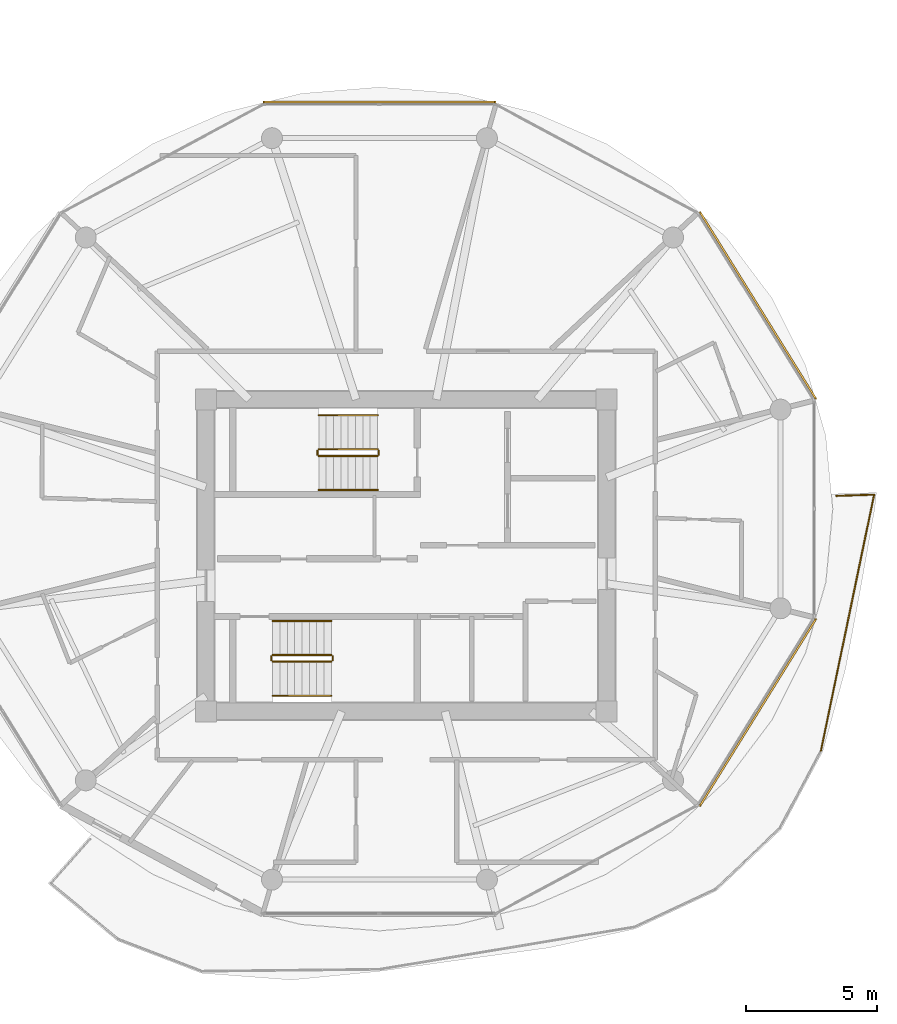
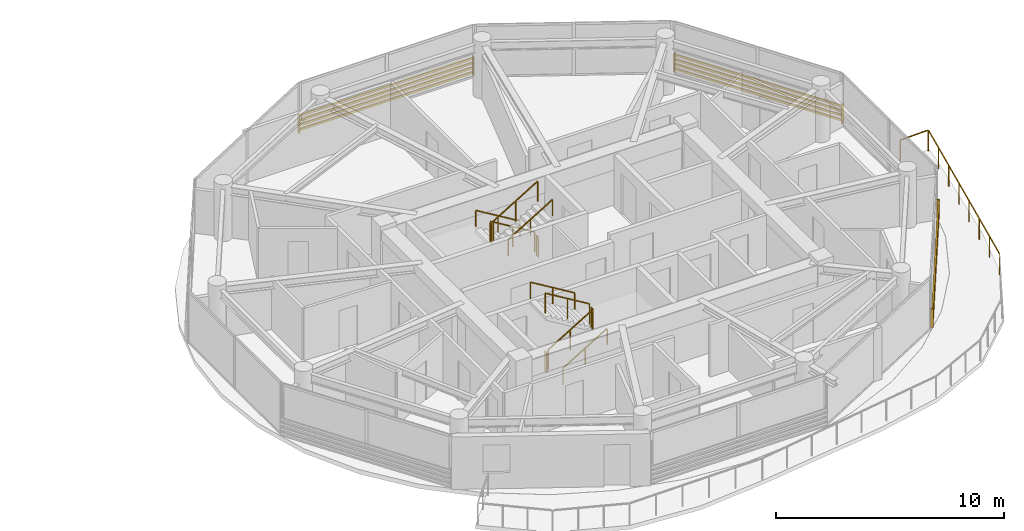
# One storey, part 24 of 24: 13 railings, 3 shading devices.
"""IFC4 building model written with IfcOpenShell, lengths in metres."""

from ifc_helpers import new_model, si_unit, direction, frame, origin, origin_2d, place, context, subcontext, project, spatial, rectangle, extrude, source, transform, mapped, material, type_object, type_shapes, element, save


model = new_model("IFC4")

# Units and contexts
model_context = context("Model", 3, precision=1e-05, world=origin(), true_north=direction((0.0, 1.0)))
body_context = subcontext(model_context, "Body", "Model", "MODEL_VIEW")
ifc_project = project(units=[si_unit("LENGTHUNIT", "METRE"), si_unit("AREAUNIT", "SQUARE_METRE"), si_unit("VOLUMEUNIT", "CUBIC_METRE"), si_unit("PLANEANGLEUNIT", "RADIAN"), si_unit("MASSUNIT", "GRAM", prefix="KILO")], contexts=[model_context])

# Site, building, storey
site_placement = place(None, origin())
site = spatial("IfcSite", under=ifc_project, at=site_placement, CompositionType="ELEMENT")
building_placement = place(site_placement, origin())
building = spatial("IfcBuilding", under=site, at=building_placement, Name="Norrkilde Senior Care Towers", CompositionType="ELEMENT")
storey_placement = place(building_placement, frame((0.0, 0.0, 155.64990234375)))
storey = spatial("IfcBuildingStorey", under=building, at=storey_placement, Name="L48", CompositionType="ELEMENT", Elevation=155.64990234375)

# Railings
ifc_material_1 = material(Name="Anodised Aluminium", Category="aluminium")
railing_type_1 = type_object("IfcRailingType", Name="Balcony Swirl Ribbon Guardrail 1150", PredefinedType="GUARDRAIL", material=ifc_material_1)
railing_1_placement = place(storey_placement, frame((44.408935546875, 2.272705078125, 0.0)))
element("IfcRailing", 1, at=railing_1_placement, inside=storey, type_object=railing_type_1, Name="L48 Perimeter Safety Guard 02", PredefinedType="GUARDRAIL", context=body_context, shape_type="SweptSolid", body=[
    extrude(rectangle(XDim=0.048095703125, YDim=0.048095703125, at=origin_2d()), frame((0.0, 0.0, 1.1259765625), z_axis=(0.999448270086, 0.033213783604, 0.0), x_axis=(-0.033213783604, 0.999448270086, 0.0)), (0.0, 0.0, 1.0), 1.4072265625),
    extrude(rectangle(XDim=0.048095703125, YDim=0.048095703125, at=origin_2d()), frame((1.43896484375, 0.008056640625, 1.1259765625), z_axis=(-0.203515592183, -0.979071705106, 0.0), x_axis=(0.979071705106, -0.203515592183, 0.0)), (0.0, 0.0, 1.0), 9.938720703125),
    extrude(rectangle(XDim=0.0419921875, YDim=0.0419921875, at=origin_2d()), origin(), (0.0, 0.0, 1.0), 1.099853515625),
    extrude(rectangle(XDim=0.0419921875, YDim=0.0419921875, at=origin_2d()), frame((1.447265625, 0.048095703125, 0.0)), (0.0, 0.0, 1.0), 1.099853515625),
    extrude(rectangle(XDim=0.0419921875, YDim=0.0419921875, at=origin_2d()), frame((1.1572265625, -1.34765625, 0.0)), (0.0, 0.0, 1.0), 1.099853515625),
    extrude(rectangle(XDim=0.0419921875, YDim=0.0419921875, at=origin_2d()), frame((0.866943359375, -2.74365234375, 0.0)), (0.0, 0.0, 1.0), 1.099853515625),
    extrude(rectangle(XDim=0.0419921875, YDim=0.0419921875, at=origin_2d()), frame((0.576904296875, -4.139404296875, 0.0)), (0.0, 0.0, 1.0), 1.099853515625),
    extrude(rectangle(XDim=0.0419921875, YDim=0.0419921875, at=origin_2d()), frame((0.28662109375, -5.53515625, 0.0)), (0.0, 0.0, 1.0), 1.099853515625),
    extrude(rectangle(XDim=0.0419921875, YDim=0.0419921875, at=origin_2d()), frame((-0.00341796875, -6.930908203125, 0.0)), (0.0, 0.0, 1.0), 1.099853515625),
    extrude(rectangle(XDim=0.0419921875, YDim=0.0419921875, at=origin_2d()), frame((-0.293701171875, -8.326904296875, 0.0)), (0.0, 0.0, 1.0), 1.099853515625),
    extrude(rectangle(XDim=0.0419921875, YDim=0.0419921875, at=origin_2d()), frame((-0.583740234375, -9.72265625, 0.0)), (0.0, 0.0, 1.0), 1.099853515625),
])
ifc_material_2 = material(Name="Stainless Steel", Category="steel")
railing_type_2 = type_object("IfcRailingType", Name="Stair and Terrace Guardrail 1100", PredefinedType="GUARDRAIL", material=ifc_material_2)
railing_2_placement = place(storey_placement, frame((26.89990234375, 4.050048828125, 0.16943359375)))
element("IfcRailing", 2, at=railing_2_placement, inside=storey, type_object=railing_type_2, Name="L48 ST-E1 stair guard 1", PredefinedType="GUARDRAIL", context=body_context, shape_type="SweptSolid", body=[
    extrude(rectangle(XDim=0.048095703125, YDim=0.048095703125, at=origin_2d()), frame((0.0, 0.0, 1.076171875), z_axis=(-0.855512035549, 0.0, 0.517782924622), x_axis=(0.0, -1.0, 0.0)), (0.0, 0.0, 1.0), 2.618408203125),
    extrude(rectangle(XDim=0.0419921875, YDim=0.0419921875, at=origin_2d()), origin(), (0.0, 0.0, 1.0), 1.050048828125),
    extrude(rectangle(XDim=0.0419921875, YDim=0.0419921875, at=origin_2d()), frame((-1.1201171875, 0.0, 0.677734375)), (0.0, 0.0, 1.0), 1.050048828125),
    extrude(rectangle(XDim=0.0419921875, YDim=0.0419921875, at=origin_2d()), frame((-2.239990234375, 0.0, 1.355712890625)), (0.0, 0.0, 1.0), 1.050048828125),
])
railing_3_placement = place(storey_placement, frame((24.610107421875, 4.0, 1.525146484375)))
element("IfcRailing", 3, at=railing_3_placement, inside=storey, type_object=railing_type_2, Name="L48 ST-E1 stair guard 2", PredefinedType="GUARDRAIL", context=body_context, shape_type="SweptSolid", body=[
    extrude(rectangle(XDim=0.048095703125, YDim=0.048095703125, at=origin_2d()), frame((0.0, 0.0, 1.076171875), z_axis=(0.0, -1.0, 0.0), x_axis=(1.0, 0.0, 0.0)), (0.0, 0.0, 1.0), 0.14990234375),
    extrude(rectangle(XDim=0.0419921875, YDim=0.0419921875, at=origin_2d()), origin(), (0.0, 0.0, 1.0), 1.050048828125),
    extrude(rectangle(XDim=0.0419921875, YDim=0.0419921875, at=origin_2d()), frame((0.0, -0.14990234375, 0.0)), (0.0, 0.0, 1.0), 1.050048828125),
])
railing_4_placement = place(storey_placement, frame((24.659912109375, 3.800048828125, 1.694580078125)))
element("IfcRailing", 4, at=railing_4_placement, inside=storey, type_object=railing_type_2, Name="L48 ST-E1 stair guard 3", PredefinedType="GUARDRAIL", context=body_context, shape_type="SweptSolid", body=[
    extrude(rectangle(XDim=0.048095703125, YDim=0.048095703125, at=origin_2d()), frame((0.0, 0.0, 1.076171875), z_axis=(0.855553338991, 0.0, 0.51771467445), x_axis=(0.0, 1.0, 0.0)), (0.0, 0.0, 1.0), 2.6181640625),
    extrude(rectangle(XDim=0.0419921875, YDim=0.0419921875, at=origin_2d()), origin(), (0.0, 0.0, 1.0), 1.050048828125),
    extrude(rectangle(XDim=0.0419921875, YDim=0.0419921875, at=origin_2d()), frame((1.1201171875, 0.0, 0.677734375)), (0.0, 0.0, 1.0), 1.050048828125),
    extrude(rectangle(XDim=0.0419921875, YDim=0.0419921875, at=origin_2d()), frame((2.239990234375, 0.0, 1.35546875)), (0.0, 0.0, 1.0), 1.050048828125),
])
railing_5_placement = place(storey_placement, frame((26.949951171875, 4.0, 0.0)))
element("IfcRailing", 5, at=railing_5_placement, inside=storey, type_object=railing_type_2, Name="L48 ST-E1 stair guard 4", PredefinedType="GUARDRAIL", context=body_context, shape_type="SweptSolid", body=[
    extrude(rectangle(XDim=0.048095703125, YDim=0.048095703125, at=origin_2d()), frame((0.0, 0.0, 1.076171875), z_axis=(0.0, -1.0, 0.0), x_axis=(1.0, 0.0, 0.0)), (0.0, 0.0, 1.0), 0.14990234375),
    extrude(rectangle(XDim=0.0419921875, YDim=0.0419921875, at=origin_2d()), origin(), (0.0, 0.0, 1.0), 1.050048828125),
    extrude(rectangle(XDim=0.0419921875, YDim=0.0419921875, at=origin_2d()), frame((0.0, -0.14990234375, 0.0)), (0.0, 0.0, 1.0), 1.050048828125),
])
railing_6_placement = place(storey_placement, frame((22.89990234375, -4.050048828125, 0.16943359375)))
element("IfcRailing", 6, at=railing_6_placement, inside=storey, type_object=railing_type_2, Name="L48 ST-E2 stair guard 1", PredefinedType="GUARDRAIL", context=body_context, shape_type="SweptSolid", body=[
    extrude(rectangle(XDim=0.048095703125, YDim=0.048095703125, at=origin_2d()), frame((0.0, 0.0, 1.076171875), z_axis=(0.855512035549, 0.0, 0.517782924622), x_axis=(0.0, 1.0, 0.0)), (0.0, 0.0, 1.0), 2.618408203125),
    extrude(rectangle(XDim=0.0419921875, YDim=0.0419921875, at=origin_2d()), origin(), (0.0, 0.0, 1.0), 1.050048828125),
    extrude(rectangle(XDim=0.0419921875, YDim=0.0419921875, at=origin_2d()), frame((1.1201171875, 0.0, 0.677734375)), (0.0, 0.0, 1.0), 1.050048828125),
    extrude(rectangle(XDim=0.0419921875, YDim=0.0419921875, at=origin_2d()), frame((2.239990234375, 0.0, 1.355712890625)), (0.0, 0.0, 1.0), 1.050048828125),
])
railing_7_placement = place(storey_placement, frame((25.18994140625, -4.0, 1.525146484375)))
element("IfcRailing", 7, at=railing_7_placement, inside=storey, type_object=railing_type_2, Name="L48 ST-E2 stair guard 2", PredefinedType="GUARDRAIL", context=body_context, shape_type="SweptSolid", body=[
    extrude(rectangle(XDim=0.048095703125, YDim=0.048095703125, at=origin_2d()), frame((0.0, 0.0, 1.076171875), z_axis=(0.0, 1.0, 0.0), x_axis=(-1.0, 0.0, 0.0)), (0.0, 0.0, 1.0), 0.14990234375),
    extrude(rectangle(XDim=0.0419921875, YDim=0.0419921875, at=origin_2d()), origin(), (0.0, 0.0, 1.0), 1.050048828125),
    extrude(rectangle(XDim=0.0419921875, YDim=0.0419921875, at=origin_2d()), frame((0.0, 0.14990234375, 0.0)), (0.0, 0.0, 1.0), 1.050048828125),
])
railing_8_placement = place(storey_placement, frame((25.139892578125, -3.800048828125, 1.694580078125)))
element("IfcRailing", 8, at=railing_8_placement, inside=storey, type_object=railing_type_2, Name="L48 ST-E2 stair guard 3", PredefinedType="GUARDRAIL", context=body_context, shape_type="SweptSolid", body=[
    extrude(rectangle(XDim=0.048095703125, YDim=0.048095703125, at=origin_2d()), frame((0.0, 0.0, 1.076171875), z_axis=(-0.855553338991, 0.0, 0.51771467445), x_axis=(0.0, -1.0, 0.0)), (0.0, 0.0, 1.0), 2.6181640625),
    extrude(rectangle(XDim=0.0419921875, YDim=0.0419921875, at=origin_2d()), origin(), (0.0, 0.0, 1.0), 1.050048828125),
    extrude(rectangle(XDim=0.0419921875, YDim=0.0419921875, at=origin_2d()), frame((-1.1201171875, 0.0, 0.677734375)), (0.0, 0.0, 1.0), 1.050048828125),
    extrude(rectangle(XDim=0.0419921875, YDim=0.0419921875, at=origin_2d()), frame((-2.239990234375, 0.0, 1.35546875)), (0.0, 0.0, 1.0), 1.050048828125),
])
railing_9_placement = place(storey_placement, frame((22.85009765625, -4.0, 0.0)))
element("IfcRailing", 9, at=railing_9_placement, inside=storey, type_object=railing_type_2, Name="L48 ST-E2 stair guard 4", PredefinedType="GUARDRAIL", context=body_context, shape_type="SweptSolid", body=[
    extrude(rectangle(XDim=0.048095703125, YDim=0.048095703125, at=origin_2d()), frame((0.0, 0.0, 1.076171875), z_axis=(0.0, 1.0, 0.0), x_axis=(-1.0, 0.0, 0.0)), (0.0, 0.0, 1.0), 0.14990234375),
    extrude(rectangle(XDim=0.0419921875, YDim=0.0419921875, at=origin_2d()), origin(), (0.0, 0.0, 1.0), 1.050048828125),
    extrude(rectangle(XDim=0.0419921875, YDim=0.0419921875, at=origin_2d()), frame((0.0, 0.14990234375, 0.0)), (0.0, 0.0, 1.0), 1.050048828125),
])
ifc_material_3 = material(Name="Nordic Ash Timber", Category="wood")
railing_type_3 = type_object("IfcRailingType", Name="Wall and Stair Handrail 900", PredefinedType="HANDRAIL", material=ifc_material_3)
railing_10_placement = place(storey_placement, frame((26.89990234375, 5.35009765625, 0.16943359375)))
element("IfcRailing", 10, at=railing_10_placement, inside=storey, type_object=railing_type_3, Name="L48 ST-E1 stair handrail 1", PredefinedType="HANDRAIL", context=body_context, shape_type="SweptSolid", body=[
    extrude(rectangle(XDim=0.048095703125, YDim=0.048095703125, at=origin_2d()), frame((0.0, 0.0, 0.8759765625), z_axis=(-0.855512035549, 0.0, 0.517782924622), x_axis=(0.0, -1.0, 0.0)), (0.0, 0.0, 1.0), 2.618408203125),
    extrude(rectangle(XDim=0.0419921875, YDim=0.0419921875, at=origin_2d()), origin(), (0.0, 0.0, 1.0), 0.849853515625),
    extrude(rectangle(XDim=0.0419921875, YDim=0.0419921875, at=origin_2d()), frame((-1.1201171875, 0.0, 0.677734375)), (0.0, 0.0, 1.0), 0.849853515625),
    extrude(rectangle(XDim=0.0419921875, YDim=0.0419921875, at=origin_2d()), frame((-2.239990234375, 0.0, 1.355712890625)), (0.0, 0.0, 1.0), 0.849853515625),
])
railing_11_placement = place(storey_placement, frame((24.659912109375, 2.5, 1.694580078125)))
element("IfcRailing", 11, at=railing_11_placement, inside=storey, type_object=railing_type_3, Name="L48 ST-E1 stair handrail 2", PredefinedType="HANDRAIL", context=body_context, shape_type="SweptSolid", body=[
    extrude(rectangle(XDim=0.048095703125, YDim=0.048095703125, at=origin_2d()), frame((0.0, 0.0, 0.8759765625), z_axis=(0.855553338991, 0.0, 0.51771467445), x_axis=(0.0, 1.0, 0.0)), (0.0, 0.0, 1.0), 2.6181640625),
    extrude(rectangle(XDim=0.0419921875, YDim=0.0419921875, at=origin_2d()), origin(), (0.0, 0.0, 1.0), 0.849853515625),
    extrude(rectangle(XDim=0.0419921875, YDim=0.0419921875, at=origin_2d()), frame((1.1201171875, 0.0, 0.677734375)), (0.0, 0.0, 1.0), 0.849853515625),
    extrude(rectangle(XDim=0.0419921875, YDim=0.0419921875, at=origin_2d()), frame((2.239990234375, 0.0, 1.35546875)), (0.0, 0.0, 1.0), 0.849853515625),
])
railing_12_placement = place(storey_placement, frame((22.89990234375, -5.35009765625, 0.16943359375)))
element("IfcRailing", 12, at=railing_12_placement, inside=storey, type_object=railing_type_3, Name="L48 ST-E2 stair handrail 1", PredefinedType="HANDRAIL", context=body_context, shape_type="SweptSolid", body=[
    extrude(rectangle(XDim=0.048095703125, YDim=0.048095703125, at=origin_2d()), frame((0.0, 0.0, 0.8759765625), z_axis=(0.855512035549, 0.0, 0.517782924622), x_axis=(0.0, 1.0, 0.0)), (0.0, 0.0, 1.0), 2.618408203125),
    extrude(rectangle(XDim=0.0419921875, YDim=0.0419921875, at=origin_2d()), origin(), (0.0, 0.0, 1.0), 0.849853515625),
    extrude(rectangle(XDim=0.0419921875, YDim=0.0419921875, at=origin_2d()), frame((1.1201171875, 0.0, 0.677734375)), (0.0, 0.0, 1.0), 0.849853515625),
    extrude(rectangle(XDim=0.0419921875, YDim=0.0419921875, at=origin_2d()), frame((2.239990234375, 0.0, 1.355712890625)), (0.0, 0.0, 1.0), 0.849853515625),
])
railing_13_placement = place(storey_placement, frame((25.139892578125, -2.5, 1.694580078125)))
element("IfcRailing", 13, at=railing_13_placement, inside=storey, type_object=railing_type_3, Name="L48 ST-E2 stair handrail 2", PredefinedType="HANDRAIL", context=body_context, shape_type="SweptSolid", body=[
    extrude(rectangle(XDim=0.048095703125, YDim=0.048095703125, at=origin_2d()), frame((0.0, 0.0, 0.8759765625), z_axis=(-0.855553338991, 0.0, 0.51771467445), x_axis=(0.0, -1.0, 0.0)), (0.0, 0.0, 1.0), 2.6181640625),
    extrude(rectangle(XDim=0.0419921875, YDim=0.0419921875, at=origin_2d()), origin(), (0.0, 0.0, 1.0), 0.849853515625),
    extrude(rectangle(XDim=0.0419921875, YDim=0.0419921875, at=origin_2d()), frame((-1.1201171875, 0.0, 0.677734375)), (0.0, 0.0, 1.0), 0.849853515625),
    extrude(rectangle(XDim=0.0419921875, YDim=0.0419921875, at=origin_2d()), frame((-2.239990234375, 0.0, 1.35546875)), (0.0, 0.0, 1.0), 0.849853515625),
])

# Shading devices
ifc_material_4 = material(Name="Architectural Terracotta", Category="masonry")
shading_device_type = type_object("IfcShadingDeviceType", Name="Horizontal Terracotta Baguette Rack", PredefinedType="USERDEFINED", material=ifc_material_4)
shared_shape_1 = source(origin(), body_context, "Body", "SweptSolid", [
    extrude(rectangle(XDim=0.070068359375, YDim=0.110107421875, at=origin_2d()), frame((0.0, 0.090087890625, 0.125), z_axis=(1.0, 0.0, 0.0), x_axis=(0.0, 1.0, 0.0)), (0.0, 0.0, 1.0), 8.89306640625),
    extrude(rectangle(XDim=0.070068359375, YDim=0.110107421875, at=origin_2d()), frame((0.0, 0.090087890625, 0.375), z_axis=(1.0, 0.0, 0.0), x_axis=(0.0, 1.0, 0.0)), (0.0, 0.0, 1.0), 8.89306640625),
    extrude(rectangle(XDim=0.070068359375, YDim=0.110107421875, at=origin_2d()), frame((0.0, 0.090087890625, 0.625), z_axis=(1.0, 0.0, 0.0), x_axis=(0.0, 1.0, 0.0)), (0.0, 0.0, 1.0), 8.89306640625),
    extrude(rectangle(XDim=0.070068359375, YDim=0.110107421875, at=origin_2d()), frame((0.0, 0.090087890625, 0.875), z_axis=(1.0, 0.0, 0.0), x_axis=(0.0, 1.0, 0.0)), (0.0, 0.0, 1.0), 8.89306640625),
    extrude(rectangle(XDim=0.050048828125, YDim=0.1552734375, at=origin_2d()), frame((0.02490234375, 0.047607421875, 0.0)), (0.0, 0.0, 1.0), 1.0),
    extrude(rectangle(XDim=0.050048828125, YDim=0.1552734375, at=origin_2d()), frame((8.8681640625, 0.047607421875, 0.0)), (0.0, 0.0, 1.0), 1.0),
])
shading_device_placement = place(storey_placement, frame((22.528564453125, 17.2109375, 0.080078125), z_axis=(0.0, 0.0, 1.0), x_axis=(1.0, 0.0, 0.0)))
element("IfcShadingDevice", 14, at=shading_device_placement, inside=storey, type_object=shading_device_type, Name="L48 Drum E Terracotta Baguette Screen 02", ObjectType="BAGUETTE", PredefinedType="USERDEFINED", context=body_context, shape_type="MappedRepresentation", body=[
    mapped(shared_shape_1, transform((0.0, 0.0, 0.0), x_axis=(1.0, 0.0, 0.0), y_axis=(0.0, 1.0, 0.0), z_axis=(0.0, 0.0, 1.0), scale=1.0)),
])
shared_shape_2 = source(origin(), body_context, "Body", "SweptSolid", [
    extrude(rectangle(XDim=0.070068359375, YDim=0.110107421875, at=origin_2d()), frame((0.0, 0.090087890625, 0.125), z_axis=(1.0, 0.0, 0.0), x_axis=(0.0, 1.0, 0.0)), (0.0, 0.0, 1.0), 8.431396484375),
    extrude(rectangle(XDim=0.070068359375, YDim=0.110107421875, at=origin_2d()), frame((0.0, 0.090087890625, 0.375), z_axis=(1.0, 0.0, 0.0), x_axis=(0.0, 1.0, 0.0)), (0.0, 0.0, 1.0), 8.431396484375),
    extrude(rectangle(XDim=0.070068359375, YDim=0.110107421875, at=origin_2d()), frame((0.0, 0.090087890625, 0.625), z_axis=(1.0, 0.0, 0.0), x_axis=(0.0, 1.0, 0.0)), (0.0, 0.0, 1.0), 8.431396484375),
    extrude(rectangle(XDim=0.070068359375, YDim=0.110107421875, at=origin_2d()), frame((0.0, 0.090087890625, 0.875), z_axis=(1.0, 0.0, 0.0), x_axis=(0.0, 1.0, 0.0)), (0.0, 0.0, 1.0), 8.431396484375),
    extrude(rectangle(XDim=0.050048828125, YDim=0.1552734375, at=origin_2d()), frame((0.02490234375, 0.047607421875, 0.0)), (0.0, 0.0, 1.0), 1.0),
    extrude(rectangle(XDim=0.050048828125, YDim=0.1552734375, at=origin_2d()), frame((8.40625, 0.047607421875, 0.0)), (0.0, 0.0, 1.0), 1.0),
])
type_shapes(shading_device_type, [shared_shape_1, shared_shape_2])
for number, where, z_axis, x_axis, name in (
    (15, (39.123046875, 13.074951171875, 0.080078125), (0.0, 0.0, 1.0), (0.527378022296, -0.849630809324, 0.0), "L48 Drum E Terracotta Baguette Screen 00"),
    (16, (43.569580078125, -2.360595703125, 0.080078125), (0.0, 0.0, 1.0), (-0.527378022296, -0.849630809324, 0.0), "L48 Drum E Terracotta Baguette Screen 10"),
):
    element("IfcShadingDevice", number, at=place(storey_placement, frame(where, z_axis=z_axis, x_axis=x_axis)), inside=storey, type_object=shading_device_type, Name=name, ObjectType="BAGUETTE", PredefinedType="USERDEFINED", context=body_context, shape_type="MappedRepresentation", body=[
        mapped(shared_shape_2, transform((0.0, 0.0, 0.0), x_axis=(1.0, 0.0, 0.0), y_axis=(0.0, 1.0, 0.0), z_axis=(0.0, 0.0, 1.0), scale=1.0)),
    ])

save(model, "model.ifc")
